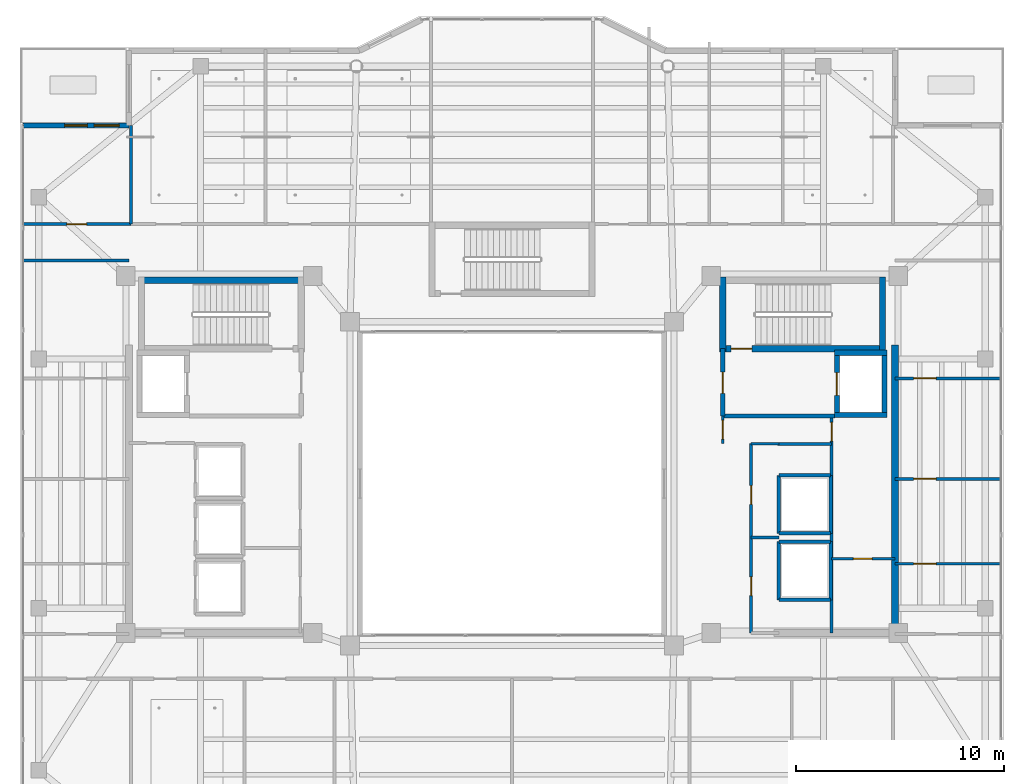
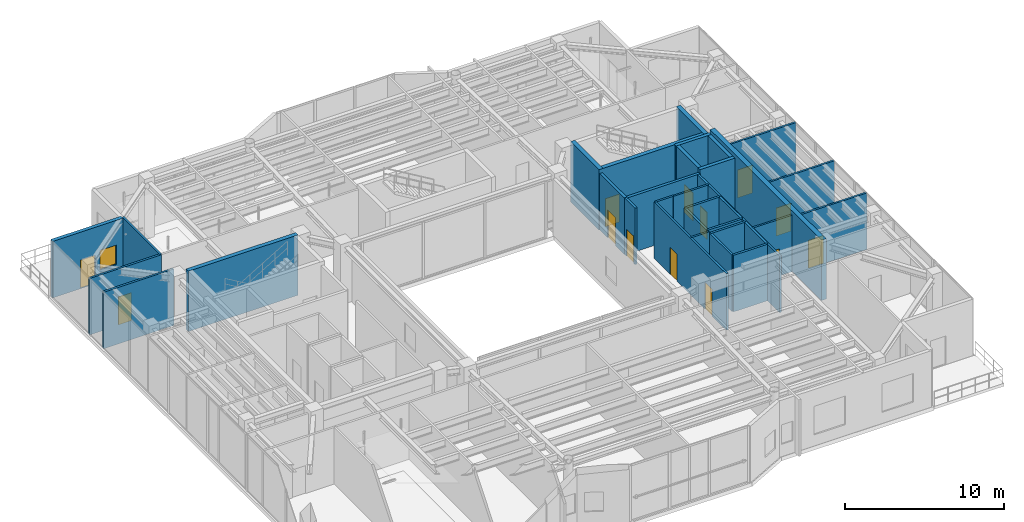
# One storey, part 25 of 34: 33 walls, 13 doors, 1 window, 14 openings.
"""IFC4 building model written with IfcOpenShell, lengths in metres."""

from ifc_helpers import new_model, si_unit, direction, frame, frame_2d, origin, place, context, subcontext, project, spatial, rectangle, extrude, material, layer, layer_set, type_object, element, fill, save


model = new_model("IFC4")

# Units and contexts
model_context = context("Model", 3, precision=1e-05, world=origin(), true_north=direction((0.0, 1.0)))
body_context = subcontext(model_context, "Body", "Model", "MODEL_VIEW")
ifc_project = project(units=[si_unit("LENGTHUNIT", "METRE"), si_unit("AREAUNIT", "SQUARE_METRE"), si_unit("VOLUMEUNIT", "CUBIC_METRE"), si_unit("PLANEANGLEUNIT", "RADIAN"), si_unit("MASSUNIT", "GRAM", prefix="KILO")], contexts=[model_context])

# Site, building, storey
site_placement = place(None, origin())
site = spatial("IfcSite", under=ifc_project, at=site_placement, CompositionType="ELEMENT")
building_placement = place(site_placement, origin())
building = spatial("IfcBuilding", under=site, at=building_placement, Name="Tarnavaz Court Tower", CompositionType="ELEMENT")
storey_placement = place(building_placement, frame((0.0, 0.0, 231.75)))
storey = spatial("IfcBuildingStorey", under=building, at=storey_placement, Name="L63", CompositionType="ELEMENT", Elevation=231.75)

# Wall, opening, door
ifc_material_1 = material(Name="Concrete C50/60", Category="concrete")
ifc_layer_1 = layer(ifc_material_1, 0.25)
ifc_layer_set_1 = layer_set([ifc_layer_1], Name="Concrete C50/60")
wall_type_1 = type_object("IfcWallType", Name="WL-CORE-250-C50", PredefinedType="SHEAR", material=ifc_layer_set_1)
wall_1_placement = place(storey_placement, frame((15.64990234375, 3.175048828125, 0.0), z_axis=(0.0, 0.0, 1.0), x_axis=(0.0, 1.0, 0.0)))
wall_1 = element("IfcWall", 1, at=wall_1_placement, inside=storey, type_object=wall_type_1, Name="L63 Lift FL-E1 Shaft Wall 033", PredefinedType="SHEAR", context=body_context, shape_type="SweptSolid", body=[
    extrude(rectangle(XDim=3.25, YDim=0.25, at=frame_2d((1.625, 0.0))), origin(), (0.0, 0.0, 1.0), 4.64990234375),
])
opening_1_placement = place(wall_1_placement, frame((1.074951171875, 0.0, 0.0)))
opening_1 = element("IfcOpeningElement", 2, at=opening_1_placement, cuts=wall_1, Name="Opening LD1", PredefinedType="OPENING", context=body_context, shape_type="SweptSolid", body=[
    extrude(rectangle(XDim=1.10009765625, YDim=2.14990234375, at=frame_2d((0.550048828125, 1.074951171875))), frame((0.0, 0.135009765625, 0.0), z_axis=(0.0, -1.0, 0.0), x_axis=(1.0, 0.0, 0.0)), (0.0, 0.0, 1.0), 0.27001953125),
])
ifc_material_2 = material(Name="Stainless Steel", Category="steel")
door_type_1 = type_object("IfcDoorType", Name="DR-LD-1100", OperationType="NOTDEFINED", PredefinedType="DOOR", material=ifc_material_2)
door_1_placement = place(opening_1_placement, origin())
door_1 = element("IfcDoor", 3, at=door_1_placement, inside=storey, type_object=door_type_1, Name="L63 Lift Landing Door LD-FL-E1", OperationType="SLIDING_TO_LEFT", OverallHeight=2.14990234375, OverallWidth=1.10009765625, PredefinedType="DOOR", context=body_context, shape_type="SweptSolid", body=[
    extrude(rectangle(XDim=1.10009765625, YDim=2.14990234375, at=frame_2d((0.550048828125, 1.074951171875))), frame((0.0, 0.02490234375, 0.0), z_axis=(0.0, -1.0, 0.0), x_axis=(1.0, 0.0, 0.0)), (0.0, 0.0, 1.0), 0.050048828125),
])
fill(opening_1, door_1)

# Walls
wall_2_placement = place(storey_placement, frame((17.949951171875, 3.175048828125, 0.0), z_axis=(0.0, 0.0, 1.0), x_axis=(0.0, 1.0, 0.0)))
element("IfcWall", 4, at=wall_2_placement, inside=storey, type_object=wall_type_1, Name="L63 Lift FL-E1 Shaft Wall 034", PredefinedType="SHEAR", context=body_context, shape_type="SweptSolid", body=[
    extrude(rectangle(XDim=3.25, YDim=0.25, at=frame_2d((1.625, 0.0))), origin(), (0.0, 0.0, 1.0), 4.64990234375),
])
for number, where, z_axis, x_axis, name in (
    (5, (15.52490234375, 3.300048828125, 0.0), (0.0, 0.0, 1.0), (1.0, 0.0, 0.0), "L63 Lift FL-E1 Shaft Wall 035"),
    (6, (15.52490234375, 6.300048828125, 0.0), (0.0, 0.0, 1.0), (1.0, 0.0, 0.0), "L63 Lift FL-E1 Shaft Wall 036"),
):
    element("IfcWall", number, at=place(storey_placement, frame(where, z_axis=z_axis, x_axis=x_axis)), inside=storey, type_object=wall_type_1, Name=name, PredefinedType="SHEAR", context=body_context, shape_type="SweptSolid", body=[
        extrude(rectangle(XDim=2.550048828125, YDim=0.25, at=frame_2d((1.27490234375, 0.0))), origin(), (0.0, 0.0, 1.0), 4.64990234375),
    ])
ifc_layer_2 = layer(ifc_material_1, 0.300048828125)
ifc_layer_set_2 = layer_set([ifc_layer_2], Name="Concrete C50/60")
wall_type_2 = type_object("IfcWallType", Name="WL-CORE-300-C50", PredefinedType="SHEAR", material=ifc_layer_set_2)
wall_3_placement = place(storey_placement, frame((-18.0, 9.7900390625, 0.0), z_axis=(0.0, 0.0, 1.0), x_axis=(1.0, 0.0, 0.0)))
element("IfcWall", 7, at=wall_3_placement, inside=storey, type_object=wall_type_2, Name="L63 West Stair Core Wall 001", PredefinedType="SHEAR", context=body_context, shape_type="SweptSolid", body=[
    extrude(rectangle(XDim=8.0, YDim=0.300048828125, at=frame_2d((4.0, 0.0))), origin(), (0.0, 0.0, 1.0), 4.64990234375),
])

# Wall, opening, door
wall_4_placement = place(storey_placement, frame((10.0, 6.5, 0.0), z_axis=(0.0, 0.0, 1.0), x_axis=(1.0, 0.0, 0.0)))
wall_4 = element("IfcWall", 8, at=wall_4_placement, inside=storey, type_object=wall_type_2, Name="L63 East Stair Core Wall 006", PredefinedType="SHEAR", context=body_context, shape_type="SweptSolid", body=[
    extrude(rectangle(XDim=8.0, YDim=0.300048828125, at=frame_2d((4.0, 0.0))), origin(), (0.0, 0.0, 1.0), 4.64990234375),
])
opening_2_placement = place(wall_4_placement, frame((0.550048828125, 0.0, 0.0)))
opening_2 = element("IfcOpeningElement", 9, at=opening_2_placement, cuts=wall_4, Name="Opening D01", PredefinedType="OPENING", context=body_context, shape_type="SweptSolid", body=[
    extrude(rectangle(XDim=1.0, YDim=2.14990234375, at=frame_2d((0.5, 1.074951171875))), frame((0.0, 0.159912109375, 0.0), z_axis=(0.0, -1.0, 0.0), x_axis=(1.0, 0.0, 0.0)), (0.0, 0.0, 1.0), 0.320068359375),
])
ifc_material_3 = material(Name="Fire-Rated Hardwood Timber Core", Category="wood")
door_type_2 = type_object("IfcDoorType", Name="DR-FD90-1000", OperationType="NOTDEFINED", PredefinedType="DOOR", material=ifc_material_3)
door_2_placement = place(opening_2_placement, origin())
door_2 = element("IfcDoor", 10, at=door_2_placement, inside=storey, type_object=door_type_2, Name="L63 Stair ST-E1 Exit Door", OperationType="SINGLE_SWING_RIGHT", OverallHeight=2.14990234375, OverallWidth=1.0, PredefinedType="DOOR", context=body_context, shape_type="SweptSolid", body=[
    extrude(rectangle(XDim=1.0, YDim=2.14990234375, at=frame_2d((0.5, 1.074951171875))), frame((0.0, 0.02490234375, 0.0), z_axis=(0.0, -1.0, 0.0), x_axis=(1.0, 0.0, 0.0)), (0.0, 0.0, 1.0), 0.050048828125),
])
fill(opening_2, door_2)

# Walls
for number, where, z_axis, x_axis, name in (
    (11, (10.14990234375, 6.35009765625, 0.0), (0.0, 0.0, 1.0), (0.0, 1.0, 0.0), "L63 East Stair Core Wall 007"),
    (12, (17.85009765625, 6.35009765625, 0.0), (0.0, 0.0, 1.0), (0.0, 1.0, 0.0), "L63 East Stair Core Wall 008"),
):
    element("IfcWall", number, at=place(storey_placement, frame(where, z_axis=z_axis, x_axis=x_axis)), inside=storey, type_object=wall_type_2, Name=name, PredefinedType="SHEAR", context=body_context, shape_type="SweptSolid", body=[
        extrude(rectangle(XDim=3.58984375, YDim=0.300048828125, at=frame_2d((1.794921875, 0.0))), origin(), (0.0, 0.0, 1.0), 4.64990234375),
    ])
ifc_layer_3 = layer(ifc_material_1, 0.35009765625)
ifc_layer_set_3 = layer_set([ifc_layer_3], Name="Concrete C50/60")
wall_type_3 = type_object("IfcWallType", Name="WL-CORE-350-C50", PredefinedType="SHEAR", material=ifc_layer_set_3)
wall_5_placement = place(storey_placement, frame((18.449951171875, -7.375, 0.0), z_axis=(0.0, 0.0, 1.0), x_axis=(0.0, 1.0, 0.0)))
element("IfcWall", 13, at=wall_5_placement, inside=storey, type_object=wall_type_3, Name="L63 East Core Shear Wall 047", PredefinedType="SHEAR", context=body_context, shape_type="SweptSolid", body=[
    extrude(rectangle(XDim=14.050048828125, YDim=0.35009765625, at=frame_2d((7.02490234375, 0.0))), origin(), (0.0, 0.0, 1.0), 4.64990234375),
])

# Wall, openings, door, window
ifc_material_4 = material(Name="Precast Concrete C40/50", Category="concrete")
ifc_layer_4 = layer(ifc_material_4, 0.260009765625)
ifc_layer_set_4 = layer_set([ifc_layer_4], Name="Precast Concrete C40/50")
wall_type_4 = type_object("IfcWallType", Name="WL-EXT-260", PredefinedType="SOLIDWALL", material=ifc_layer_set_4)
wall_6_placement = place(storey_placement, frame((-23.550048828125, 17.25, 0.0), z_axis=(0.0, 0.0, 1.0), x_axis=(1.0, 0.0, 0.0)))
wall_6 = element("IfcWall", 14, at=wall_6_placement, inside=storey, type_object=wall_type_4, Name="L63 Exterior Terracotta Facade Wall 03", PredefinedType="SOLIDWALL", context=body_context, shape_type="SweptSolid", body=[
    extrude(rectangle(XDim=5.10009765625, YDim=0.260009765625, at=frame_2d((2.550048828125, 0.0))), origin(), (0.0, 0.0, 1.0), 4.35009765625),
])
opening_3_placement = place(wall_6_placement, frame((2.0, 0.0, 0.0)))
opening_3 = element("IfcOpeningElement", 15, at=opening_3_placement, cuts=wall_6, Name="Opening TD1", PredefinedType="OPENING", context=body_context, shape_type="SweptSolid", body=[
    extrude(rectangle(XDim=1.10009765625, YDim=2.199951171875, at=frame_2d((0.550048828125, 1.10009765625))), frame((0.0, 0.139892578125, 0.0), z_axis=(0.0, -1.0, 0.0), x_axis=(1.0, 0.0, 0.0)), (0.0, 0.0, 1.0), 0.280029296875),
])
opening_4_placement = place(wall_6_placement, frame((3.419921875, 0.0, 0.949951171875)))
opening_4 = element("IfcOpeningElement", 16, at=opening_4_placement, cuts=wall_6, Name="Opening W05", PredefinedType="OPENING", context=body_context, shape_type="SweptSolid", body=[
    extrude(rectangle(XDim=1.199951171875, YDim=1.5, at=frame_2d((0.60009765625, 0.75))), frame((0.0, 0.139892578125, 0.0), z_axis=(0.0, -1.0, 0.0), x_axis=(1.0, 0.0, 0.0)), (0.0, 0.0, 1.0), 0.280029296875),
])
ifc_material_5 = material(Name="Thermally Broken Aluminium and Laminated Glass", Category="aluminium")
door_type_3 = type_object("IfcDoorType", Name="DR-TERR-1100", OperationType="NOTDEFINED", PredefinedType="DOOR", material=ifc_material_5)
door_3_placement = place(opening_3_placement, origin())
door_3 = element("IfcDoor", 17, at=door_3_placement, inside=storey, type_object=door_type_3, Name="L63 Sky Terrace Access Door 2", OperationType="SINGLE_SWING_RIGHT", OverallHeight=2.199951171875, OverallWidth=1.10009765625, PredefinedType="DOOR", context=body_context, shape_type="SweptSolid", body=[
    extrude(rectangle(XDim=1.10009765625, YDim=2.199951171875, at=frame_2d((0.550048828125, 1.10009765625))), frame((0.0, 0.02490234375, 0.0), z_axis=(0.0, -1.0, 0.0), x_axis=(1.0, 0.0, 0.0)), (0.0, 0.0, 1.0), 0.050048828125),
])
fill(opening_3, door_3)
ifc_material_6 = material(Name="Double-Glazed Solar Low-E Glass", Category="glass")
window_type = type_object("IfcWindowType", Name="WN-APT-1200", PartitioningType="SINGLE_PANEL", PredefinedType="WINDOW", material=ifc_material_6)
window_placement = place(opening_4_placement, origin())
window = element("IfcWindow", 18, at=window_placement, inside=storey, type_object=window_type, Name="L63 L63 NW Terrace Salon Window", OverallHeight=1.5, OverallWidth=1.199951171875, PartitioningType="SINGLE_PANEL", PredefinedType="WINDOW", context=body_context, shape_type="SweptSolid", body=[
    extrude(rectangle(XDim=1.199951171875, YDim=1.5, at=frame_2d((0.60009765625, 0.75))), frame((0.0, 0.030029296875, 0.0), z_axis=(0.0, -1.0, 0.0), x_axis=(1.0, 0.0, 0.0)), (0.0, 0.0, 1.0), 0.06005859375),
])
fill(opening_4, window)

# Wall
ifc_material_7 = material(Name="Gypsum Fire-Board on Acoustic Metal Stud", Category="masonry")
ifc_layer_5 = layer(ifc_material_7, 0.14990234375)
ifc_layer_set_5 = layer_set([ifc_layer_5], Name="Gypsum Fire-Board on Acoustic Metal Stud")
wall_type_5 = type_object("IfcWallType", Name="WL-FIRE-150", PredefinedType="PARTITIONING", material=ifc_layer_set_5)
wall_7_placement = place(storey_placement, frame((-23.580078125, 10.75, 0.0), z_axis=(0.0, 0.0, 1.0), x_axis=(1.0, 0.0, 0.0)))
element("IfcWall", 19, at=wall_7_placement, inside=storey, type_object=wall_type_5, Name="L63 Interior Partition 078", PredefinedType="PARTITIONING", context=body_context, shape_type="SweptSolid", body=[
    extrude(rectangle(XDim=5.130126953125, YDim=0.14990234375, at=frame_2d((2.56494140625, 0.0))), origin(), (0.0, 0.0, 1.0), 4.35009765625),
])

# Wall, opening, door
wall_8_placement = place(storey_placement, frame((-23.580078125, 12.5, 0.0), z_axis=(0.0, 0.0, 1.0), x_axis=(1.0, 0.0, 0.0)))
wall_8 = element("IfcWall", 20, at=wall_8_placement, inside=storey, type_object=wall_type_5, Name="L63 Interior Partition 084", PredefinedType="PARTITIONING", context=body_context, shape_type="SweptSolid", body=[
    extrude(rectangle(XDim=5.22998046875, YDim=0.14990234375, at=frame_2d((2.614990234375, 0.0))), origin(), (0.0, 0.0, 1.0), 4.35009765625),
])
opening_5_placement = place(wall_8_placement, frame((2.139892578125, 0.0, 0.0)))
opening_5 = element("IfcOpeningElement", 21, at=opening_5_placement, cuts=wall_8, Name="Opening D13", PredefinedType="OPENING", context=body_context, shape_type="SweptSolid", body=[
    extrude(rectangle(XDim=0.949951171875, YDim=2.14990234375, at=frame_2d((0.47509765625, 1.074951171875))), frame((0.0, 0.0849609375, 0.0), z_axis=(0.0, -1.0, 0.0), x_axis=(1.0, 0.0, 0.0)), (0.0, 0.0, 1.0), 0.169921875),
])
ifc_material_8 = material(Name="Engineered Oak Timber", Category="wood")
door_type_4 = type_object("IfcDoorType", Name="DR-INT-950", OperationType="NOTDEFINED", PredefinedType="DOOR", material=ifc_material_8)
door_4_placement = place(opening_5_placement, origin())
door_4 = element("IfcDoor", 22, at=door_4_placement, inside=storey, type_object=door_type_4, Name="L63 NW Terrace Salon Door", OperationType="SINGLE_SWING_RIGHT", OverallHeight=2.14990234375, OverallWidth=0.949951171875, PredefinedType="DOOR", context=body_context, shape_type="SweptSolid", body=[
    extrude(rectangle(XDim=0.949951171875, YDim=2.14990234375, at=frame_2d((0.47509765625, 1.074951171875))), frame((0.0, 0.02490234375, 0.0), z_axis=(0.0, -1.0, 0.0), x_axis=(1.0, 0.0, 0.0)), (0.0, 0.0, 1.0), 0.050048828125),
])
fill(opening_5, door_4)

# Wall
ifc_material_9 = material(Name="Autoclaved Aerated Concrete Blockwork", Category="masonry")
ifc_layer_6 = layer(ifc_material_9, 0.199951171875)
ifc_layer_set_6 = layer_set([ifc_layer_6], Name="Autoclaved Aerated Concrete Blockwork")
wall_type_6 = type_object("IfcWallType", Name="WL-FIRE-200", PredefinedType="SOLIDWALL", material=ifc_layer_set_6)
wall_9_placement = place(storey_placement, frame((10.14990234375, 3.25, 0.0), z_axis=(0.0, 0.0, 1.0), x_axis=(1.0, 0.0, 0.0)))
element("IfcWall", 23, at=wall_9_placement, inside=storey, type_object=wall_type_6, Name="L63 East Firefighting Lobby Wall 015", PredefinedType="SOLIDWALL", context=body_context, shape_type="SweptSolid", body=[
    extrude(rectangle(XDim=5.400146484375, YDim=0.199951171875, at=frame_2d((2.7001953125, 0.0))), origin(), (0.0, 0.0, 1.0), 4.35009765625),
])

# Wall, opening, door
wall_10_placement = place(storey_placement, frame((10.14990234375, 3.25, 0.0), z_axis=(0.0, 0.0, 1.0), x_axis=(0.0, 1.0, 0.0)))
wall_10 = element("IfcWall", 24, at=wall_10_placement, inside=storey, type_object=wall_type_6, Name="L63 East Firefighting Lobby Wall 016", PredefinedType="SOLIDWALL", context=body_context, shape_type="SweptSolid", body=[
    extrude(rectangle(XDim=3.25, YDim=0.199951171875, at=frame_2d((1.625, 0.0))), origin(), (0.0, 0.0, 1.0), 4.35009765625),
])
opening_6_placement = place(wall_10_placement, frame((1.10009765625, 0.0, 0.0)))
opening_6 = element("IfcOpeningElement", 25, at=opening_6_placement, cuts=wall_10, Name="Opening D05", PredefinedType="OPENING", context=body_context, shape_type="SweptSolid", body=[
    extrude(rectangle(XDim=1.02001953125, YDim=2.14990234375, at=frame_2d((0.510009765625, 1.074951171875))), frame((0.0, 0.10986328125, 0.0), z_axis=(0.0, -1.0, 0.0), x_axis=(1.0, 0.0, 0.0)), (0.0, 0.0, 1.0), 0.219970703125),
])
door_type_5 = type_object("IfcDoorType", Name="DR-FD60-1000", OperationType="NOTDEFINED", PredefinedType="DOOR", material=ifc_material_3)
door_5_placement = place(opening_6_placement, origin())
door_5 = element("IfcDoor", 26, at=door_5_placement, inside=storey, type_object=door_type_5, Name="L63 East Firefighting Lobby Door", OperationType="SINGLE_SWING_LEFT", OverallHeight=2.14990234375, OverallWidth=1.02001953125, PredefinedType="DOOR", context=body_context, shape_type="SweptSolid", body=[
    extrude(rectangle(XDim=1.02001953125, YDim=2.14990234375, at=frame_2d((0.510009765625, 1.074951171875))), frame((0.0, 0.02490234375, 0.0), z_axis=(0.0, -1.0, 0.0), x_axis=(1.0, 0.0, 0.0)), (0.0, 0.0, 1.0), 0.050048828125),
])
fill(opening_6, door_5)

# Wall
ifc_material_10 = material(Name="Gypsum Plasterboard Acoustic Partition", Category="masonry")
ifc_layer_7 = layer(ifc_material_10, 0.139892578125)
ifc_layer_set_7 = layer_set([ifc_layer_7], Name="Gypsum Plasterboard Acoustic Partition")
wall_type_7 = type_object("IfcWallType", Name="WL-PART-150", PredefinedType="PARTITIONING", material=ifc_layer_set_7)
wall_11_placement = place(storey_placement, frame((12.800048828125, 1.89990234375, 0.0), z_axis=(0.0, 0.0, 1.0), x_axis=(1.0, 0.0, 0.0)))
element("IfcWall", 27, at=wall_11_placement, inside=storey, type_object=wall_type_7, Name="L63 Interior Partition 052", PredefinedType="PARTITIONING", context=body_context, shape_type="SweptSolid", body=[
    extrude(rectangle(XDim=2.599853515625, YDim=0.139892578125, at=frame_2d((1.2998046875, 0.0))), origin(), (0.0, 0.0, 1.0), 4.35009765625),
])

# Wall, opening, door
wall_12_placement = place(storey_placement, frame((10.14990234375, 1.919921875, 0.0), z_axis=(0.0, 0.0, 1.0), x_axis=(0.0, 1.0, 0.0)))
wall_12 = element("IfcWall", 28, at=wall_12_placement, inside=storey, type_object=wall_type_7, Name="L63 Interior Partition 053", PredefinedType="PARTITIONING", context=body_context, shape_type="SweptSolid", body=[
    extrude(rectangle(XDim=1.330078125, YDim=0.139892578125, at=frame_2d((0.6650390625, 0.0))), origin(), (0.0, 0.0, 1.0), 4.35009765625),
])
opening_7_placement = place(wall_12_placement, frame((0.219970703125, 0.0, 0.0)))
opening_7 = element("IfcOpeningElement", 29, at=opening_7_placement, cuts=wall_12, Name="Opening D09", PredefinedType="OPENING", context=body_context, shape_type="SweptSolid", body=[
    extrude(rectangle(XDim=0.89990234375, YDim=2.080078125, at=frame_2d((0.449951171875, 1.0400390625))), frame((0.0, 0.079833984375, 0.0), z_axis=(0.0, -1.0, 0.0), x_axis=(1.0, 0.0, 0.0)), (0.0, 0.0, 1.0), 0.159912109375),
])
door_type_6 = type_object("IfcDoorType", Name="DR-FD30-900", OperationType="NOTDEFINED", PredefinedType="DOOR", material=ifc_material_3)
door_6_placement = place(opening_7_placement, origin())
door_6 = element("IfcDoor", 30, at=door_6_placement, inside=storey, type_object=door_type_6, Name="L63 East Core Service Lobby Door", OperationType="SINGLE_SWING_LEFT", OverallHeight=2.080078125, OverallWidth=0.89990234375, PredefinedType="DOOR", context=body_context, shape_type="SweptSolid", body=[
    extrude(rectangle(XDim=0.89990234375, YDim=2.080078125, at=frame_2d((0.449951171875, 1.0400390625))), frame((0.0, 0.02490234375, 0.0), z_axis=(0.0, -1.0, 0.0), x_axis=(1.0, 0.0, 0.0)), (0.0, 0.0, 1.0), 0.050048828125),
])
fill(opening_7, door_6)

wall_13_placement = place(storey_placement, frame((15.39990234375, -7.199951171875, 0.0), z_axis=(0.0, 0.0, 1.0), x_axis=(0.0, 1.0, 0.0)))
wall_13 = element("IfcWall", 31, at=wall_13_placement, inside=storey, type_object=wall_type_7, Name="L63 Interior Partition 054", PredefinedType="PARTITIONING", context=body_context, shape_type="SweptSolid", body=[
    extrude(rectangle(XDim=10.449951171875, YDim=0.139892578125, at=frame_2d((5.22509765625, 0.0))), origin(), (0.0, 0.0, 1.0), 4.35009765625),
])
opening_8_placement = place(wall_13_placement, frame((9.25, 0.0, 0.0)))
opening_8 = element("IfcOpeningElement", 32, at=opening_8_placement, cuts=wall_13, Name="Opening D09", PredefinedType="OPENING", context=body_context, shape_type="SweptSolid", body=[
    extrude(rectangle(XDim=0.89990234375, YDim=2.080078125, at=frame_2d((0.449951171875, 1.0400390625))), frame((0.0, 0.079833984375, 0.0), z_axis=(0.0, -1.0, 0.0), x_axis=(1.0, 0.0, 0.0)), (0.0, 0.0, 1.0), 0.159912109375),
])
door_7_placement = place(opening_8_placement, origin())
door_7 = element("IfcDoor", 33, at=door_7_placement, inside=storey, type_object=door_type_6, Name="L63 East Wet Riser Door", OperationType="SINGLE_SWING_RIGHT", OverallHeight=2.080078125, OverallWidth=0.89990234375, PredefinedType="DOOR", context=body_context, shape_type="SweptSolid", body=[
    extrude(rectangle(XDim=0.89990234375, YDim=2.080078125, at=frame_2d((0.449951171875, 1.0400390625))), frame((0.0, 0.02490234375, 0.0), z_axis=(0.0, -1.0, 0.0), x_axis=(1.0, 0.0, 0.0)), (0.0, 0.0, 1.0), 0.050048828125),
])
fill(opening_8, door_7)

wall_14_placement = place(storey_placement, frame((15.39990234375, -3.6201171875, 0.0), z_axis=(0.0, 0.0, 1.0), x_axis=(1.0, 0.0, 0.0)))
wall_14 = element("IfcWall", 34, at=wall_14_placement, inside=storey, type_object=wall_type_7, Name="L63 Interior Partition 055", PredefinedType="PARTITIONING", context=body_context, shape_type="SweptSolid", body=[
    extrude(rectangle(XDim=3.050048828125, YDim=0.139892578125, at=frame_2d((1.52490234375, 0.0))), origin(), (0.0, 0.0, 1.0), 4.35009765625),
])
opening_9_placement = place(wall_14_placement, frame((1.050048828125, 0.0, 0.0)))
opening_9 = element("IfcOpeningElement", 35, at=opening_9_placement, cuts=wall_14, Name="Opening D09", PredefinedType="OPENING", context=body_context, shape_type="SweptSolid", body=[
    extrude(rectangle(XDim=0.89990234375, YDim=2.080078125, at=frame_2d((0.449951171875, 1.0400390625))), frame((0.0, 0.079833984375, 0.0), z_axis=(0.0, -1.0, 0.0), x_axis=(1.0, 0.0, 0.0)), (0.0, 0.0, 1.0), 0.159912109375),
])
door_8_placement = place(opening_9_placement, origin())
door_8 = element("IfcDoor", 36, at=door_8_placement, inside=storey, type_object=door_type_6, Name="L63 East Electrical Plant Door", OperationType="SINGLE_SWING_LEFT", OverallHeight=2.080078125, OverallWidth=0.89990234375, PredefinedType="DOOR", context=body_context, shape_type="SweptSolid", body=[
    extrude(rectangle(XDim=0.89990234375, YDim=2.080078125, at=frame_2d((0.449951171875, 1.0400390625))), frame((0.0, 0.02490234375, 0.0), z_axis=(0.0, -1.0, 0.0), x_axis=(1.0, 0.0, 0.0)), (0.0, 0.0, 1.0), 0.050048828125),
])
fill(opening_9, door_8)

# Wall, openings, doors
wall_15_placement = place(storey_placement, frame((11.52001953125, -7.199951171875, 0.0), z_axis=(0.0, 0.0, 1.0), x_axis=(0.0, 1.0, 0.0)))
wall_15 = element("IfcWall", 37, at=wall_15_placement, inside=storey, type_object=wall_type_7, Name="L63 Interior Partition 056", PredefinedType="PARTITIONING", context=body_context, shape_type="SweptSolid", body=[
    extrude(rectangle(XDim=9.119873046875, YDim=0.139892578125, at=frame_2d((4.56005859375, 0.0))), origin(), (0.0, 0.0, 1.0), 4.35009765625),
])
opening_10_placement = place(wall_15_placement, frame((1.800048828125, 0.0, 0.0)))
opening_10 = element("IfcOpeningElement", 38, at=opening_10_placement, cuts=wall_15, Name="Opening D09", PredefinedType="OPENING", context=body_context, shape_type="SweptSolid", body=[
    extrude(rectangle(XDim=0.89990234375, YDim=2.080078125, at=frame_2d((0.449951171875, 1.0400390625))), frame((0.0, 0.079833984375, 0.0), z_axis=(0.0, -1.0, 0.0), x_axis=(1.0, 0.0, 0.0)), (0.0, 0.0, 1.0), 0.159912109375),
])
opening_11_placement = place(wall_15_placement, frame((6.199951171875, 0.0, 0.0)))
opening_11 = element("IfcOpeningElement", 39, at=opening_11_placement, cuts=wall_15, Name="Opening D09", PredefinedType="OPENING", context=body_context, shape_type="SweptSolid", body=[
    extrude(rectangle(XDim=0.89990234375, YDim=2.080078125, at=frame_2d((0.449951171875, 1.0400390625))), frame((0.0, 0.079833984375, 0.0), z_axis=(0.0, -1.0, 0.0), x_axis=(1.0, 0.0, 0.0)), (0.0, 0.0, 1.0), 0.159912109375),
])
door_9_placement = place(opening_10_placement, origin())
door_9 = element("IfcDoor", 40, at=door_9_placement, inside=storey, type_object=door_type_6, Name="L63 East Sky Housekeeping Door", OperationType="SINGLE_SWING_RIGHT", OverallHeight=2.080078125, OverallWidth=0.89990234375, PredefinedType="DOOR", context=body_context, shape_type="SweptSolid", body=[
    extrude(rectangle(XDim=0.89990234375, YDim=2.080078125, at=frame_2d((0.449951171875, 1.0400390625))), frame((0.0, 0.02490234375, 0.0), z_axis=(0.0, -1.0, 0.0), x_axis=(1.0, 0.0, 0.0)), (0.0, 0.0, 1.0), 0.050048828125),
])
fill(opening_10, door_9)
door_10_placement = place(opening_11_placement, origin())
door_10 = element("IfcDoor", 41, at=door_10_placement, inside=storey, type_object=door_type_6, Name="L63 East Sky Meter Room Door", OperationType="SINGLE_SWING_LEFT", OverallHeight=2.080078125, OverallWidth=0.89990234375, PredefinedType="DOOR", context=body_context, shape_type="SweptSolid", body=[
    extrude(rectangle(XDim=0.89990234375, YDim=2.080078125, at=frame_2d((0.449951171875, 1.0400390625))), frame((0.0, 0.02490234375, 0.0), z_axis=(0.0, -1.0, 0.0), x_axis=(1.0, 0.0, 0.0)), (0.0, 0.0, 1.0), 0.050048828125),
])
fill(opening_11, door_10)

# Walls
for number, where, z_axis, x_axis, name in (
    (42, (11.52001953125, 1.919921875, 0.0), (0.0, 0.0, 1.0), (1.0, 0.0, 0.0), "L63 Interior Partition 057"),
    (43, (11.52001953125, -2.60009765625, 0.0), (0.0, 0.0, 1.0), (1.0, 0.0, 0.0), "L63 Interior Partition 059"),
):
    element("IfcWall", number, at=place(storey_placement, frame(where, z_axis=z_axis, x_axis=x_axis)), inside=storey, type_object=wall_type_7, Name=name, PredefinedType="PARTITIONING", context=body_context, shape_type="SweptSolid", body=[
        extrude(rectangle(XDim=1.330078125, YDim=0.139892578125, at=frame_2d((0.6650390625, 0.0))), origin(), (0.0, 0.0, 1.0), 4.35009765625),
    ])
wall_16_placement = place(storey_placement, frame((-18.35009765625, 12.5, 0.0), z_axis=(0.0, 0.0, 1.0), x_axis=(0.0, 1.0, 0.0)))
element("IfcWall", 44, at=wall_16_placement, inside=storey, type_object=wall_type_7, Name="L63 Interior Partition 082", PredefinedType="PARTITIONING", context=body_context, shape_type="SweptSolid", body=[
    extrude(rectangle(XDim=4.75, YDim=0.139892578125, at=frame_2d((2.375, 0.0))), origin(), (0.0, 0.0, 1.0), 4.35009765625),
])

# Wall, opening, door
wall_17_placement = place(storey_placement, frame((18.449951171875, -3.860107421875, 0.0), z_axis=(0.0, 0.0, 1.0), x_axis=(1.0, 0.0, 0.0)))
wall_17 = element("IfcWall", 45, at=wall_17_placement, inside=storey, type_object=wall_type_7, Name="L63 Interior Partition 091", PredefinedType="PARTITIONING", context=body_context, shape_type="SweptSolid", body=[
    extrude(rectangle(XDim=5.130126953125, YDim=0.139892578125, at=frame_2d((2.56494140625, 0.0))), origin(), (0.0, 0.0, 1.0), 4.35009765625),
])
opening_12_placement = place(wall_17_placement, frame((0.89990234375, 0.0, 0.0)))
opening_12 = element("IfcOpeningElement", 46, at=opening_12_placement, cuts=wall_17, Name="Opening D12", PredefinedType="OPENING", context=body_context, shape_type="SweptSolid", body=[
    extrude(rectangle(XDim=1.080078125, YDim=2.14990234375, at=frame_2d((0.5400390625, 1.074951171875))), frame((0.0, 0.079833984375, 0.0), z_axis=(0.0, -1.0, 0.0), x_axis=(1.0, 0.0, 0.0)), (0.0, 0.0, 1.0), 0.159912109375),
])
door_type_7 = type_object("IfcDoorType", Name="DR-INT-1100", OperationType="NOTDEFINED", PredefinedType="DOOR", material=ifc_material_8)
door_11_placement = place(opening_12_placement, origin())
door_11 = element("IfcDoor", 47, at=door_11_placement, inside=storey, type_object=door_type_7, Name="L63 East Suite Room 2 Door", OperationType="SINGLE_SWING_LEFT", OverallHeight=2.14990234375, OverallWidth=1.080078125, PredefinedType="DOOR", context=body_context, shape_type="SweptSolid", body=[
    extrude(rectangle(XDim=1.080078125, YDim=2.14990234375, at=frame_2d((0.5400390625, 1.074951171875))), frame((0.0, 0.02490234375, 0.0), z_axis=(0.0, -1.0, 0.0), x_axis=(1.0, 0.0, 0.0)), (0.0, 0.0, 1.0), 0.050048828125),
])
fill(opening_12, door_11)

wall_18_placement = place(storey_placement, frame((18.449951171875, 0.222900390625, 0.0), z_axis=(0.0, 0.0, 1.0), x_axis=(1.0, 0.0, 0.0)))
wall_18 = element("IfcWall", 48, at=wall_18_placement, inside=storey, type_object=wall_type_7, Name="L63 Interior Partition 092", PredefinedType="PARTITIONING", context=body_context, shape_type="SweptSolid", body=[
    extrude(rectangle(XDim=5.130126953125, YDim=0.139892578125, at=frame_2d((2.56494140625, 0.0))), origin(), (0.0, 0.0, 1.0), 4.35009765625),
])
opening_13_placement = place(wall_18_placement, frame((0.89990234375, 0.0, 0.0)))
opening_13 = element("IfcOpeningElement", 49, at=opening_13_placement, cuts=wall_18, Name="Opening D12", PredefinedType="OPENING", context=body_context, shape_type="SweptSolid", body=[
    extrude(rectangle(XDim=1.080078125, YDim=2.14990234375, at=frame_2d((0.5400390625, 1.074951171875))), frame((0.0, 0.079833984375, 0.0), z_axis=(0.0, -1.0, 0.0), x_axis=(1.0, 0.0, 0.0)), (0.0, 0.0, 1.0), 0.159912109375),
])
door_12_placement = place(opening_13_placement, origin())
door_12 = element("IfcDoor", 50, at=door_12_placement, inside=storey, type_object=door_type_7, Name="L63 East Suite Room 3 Door", OperationType="SINGLE_SWING_RIGHT", OverallHeight=2.14990234375, OverallWidth=1.080078125, PredefinedType="DOOR", context=body_context, shape_type="SweptSolid", body=[
    extrude(rectangle(XDim=1.080078125, YDim=2.14990234375, at=frame_2d((0.5400390625, 1.074951171875))), frame((0.0, 0.02490234375, 0.0), z_axis=(0.0, -1.0, 0.0), x_axis=(1.0, 0.0, 0.0)), (0.0, 0.0, 1.0), 0.050048828125),
])
fill(opening_13, door_12)

wall_19_placement = place(storey_placement, frame((18.449951171875, 5.070068359375, 0.0), z_axis=(0.0, 0.0, 1.0), x_axis=(1.0, 0.0, 0.0)))
wall_19 = element("IfcWall", 51, at=wall_19_placement, inside=storey, type_object=wall_type_7, Name="L63 Interior Partition 093", PredefinedType="PARTITIONING", context=body_context, shape_type="SweptSolid", body=[
    extrude(rectangle(XDim=5.130126953125, YDim=0.139892578125, at=frame_2d((2.56494140625, 0.0))), origin(), (0.0, 0.0, 1.0), 4.35009765625),
])
opening_14_placement = place(wall_19_placement, frame((0.89990234375, 0.0, 0.0)))
opening_14 = element("IfcOpeningElement", 52, at=opening_14_placement, cuts=wall_19, Name="Opening D12", PredefinedType="OPENING", context=body_context, shape_type="SweptSolid", body=[
    extrude(rectangle(XDim=1.080078125, YDim=2.14990234375, at=frame_2d((0.5400390625, 1.074951171875))), frame((0.0, 0.079833984375, 0.0), z_axis=(0.0, -1.0, 0.0), x_axis=(1.0, 0.0, 0.0)), (0.0, 0.0, 1.0), 0.159912109375),
])
door_13_placement = place(opening_14_placement, origin())
door_13 = element("IfcDoor", 53, at=door_13_placement, inside=storey, type_object=door_type_7, Name="L63 East Suite Room 4 Door", OperationType="SINGLE_SWING_LEFT", OverallHeight=2.14990234375, OverallWidth=1.080078125, PredefinedType="DOOR", context=body_context, shape_type="SweptSolid", body=[
    extrude(rectangle(XDim=1.080078125, YDim=2.14990234375, at=frame_2d((0.5400390625, 1.074951171875))), frame((0.0, 0.02490234375, 0.0), z_axis=(0.0, -1.0, 0.0), x_axis=(1.0, 0.0, 0.0)), (0.0, 0.0, 1.0), 0.050048828125),
])
fill(opening_14, door_13)

# Walls
ifc_layer_8 = layer(ifc_material_9, 0.159912109375)
ifc_layer_set_8 = layer_set([ifc_layer_8], Name="Autoclaved Aerated Concrete Blockwork")
wall_type_8 = type_object("IfcWallType", Name="WL-SHAFT-150", PredefinedType="SOLIDWALL", material=ifc_layer_set_8)
for number, where, z_axis, x_axis, name in (
    (54, (12.85009765625, -5.60009765625, 0.0), (0.0, 0.0, 1.0), (0.0, 1.0, 0.0), "L63 Lift PL-OB1 Shaft Wall 037"),
    (55, (15.35009765625, -5.60009765625, 0.0), (0.0, 0.0, 1.0), (0.0, 1.0, 0.0), "L63 Lift PL-OB1 Shaft Wall 038"),
):
    element("IfcWall", number, at=place(storey_placement, frame(where, z_axis=z_axis, x_axis=x_axis)), inside=storey, type_object=wall_type_8, Name=name, PredefinedType="SOLIDWALL", context=body_context, shape_type="SweptSolid", body=[
        extrude(rectangle(XDim=2.800048828125, YDim=0.159912109375, at=frame_2d((1.39990234375, 0.0))), origin(), (0.0, 0.0, 1.0), 4.35009765625),
    ])
for number, where, z_axis, x_axis, name in (
    (56, (12.85009765625, -5.60009765625, 0.0), (0.0, 0.0, 1.0), (1.0, 0.0, 0.0), "L63 Lift PL-OB1 Shaft Wall 039"),
    (57, (12.85009765625, -2.800048828125, 0.0), (0.0, 0.0, 1.0), (1.0, 0.0, 0.0), "L63 Lift PL-OB1 Shaft Wall 040"),
):
    element("IfcWall", number, at=place(storey_placement, frame(where, z_axis=z_axis, x_axis=x_axis)), inside=storey, type_object=wall_type_8, Name=name, PredefinedType="SOLIDWALL", context=body_context, shape_type="SweptSolid", body=[
        extrude(rectangle(XDim=2.5, YDim=0.159912109375, at=frame_2d((1.25, 0.0))), origin(), (0.0, 0.0, 1.0), 4.35009765625),
    ])
for number, where, z_axis, x_axis, name in (
    (58, (12.85009765625, -2.39990234375, 0.0), (0.0, 0.0, 1.0), (0.0, 1.0, 0.0), "L63 Lift PL-OB2 Shaft Wall 041"),
    (59, (15.35009765625, -2.39990234375, 0.0), (0.0, 0.0, 1.0), (0.0, 1.0, 0.0), "L63 Lift PL-OB2 Shaft Wall 042"),
):
    element("IfcWall", number, at=place(storey_placement, frame(where, z_axis=z_axis, x_axis=x_axis)), inside=storey, type_object=wall_type_8, Name=name, PredefinedType="SOLIDWALL", context=body_context, shape_type="SweptSolid", body=[
        extrude(rectangle(XDim=2.7998046875, YDim=0.159912109375, at=frame_2d((1.39990234375, 0.0))), origin(), (0.0, 0.0, 1.0), 4.35009765625),
    ])
for number, where, z_axis, x_axis, name in (
    (60, (12.85009765625, -2.39990234375, 0.0), (0.0, 0.0, 1.0), (1.0, 0.0, 0.0), "L63 Lift PL-OB2 Shaft Wall 043"),
    (61, (12.85009765625, 0.39990234375, 0.0), (0.0, 0.0, 1.0), (1.0, 0.0, 0.0), "L63 Lift PL-OB2 Shaft Wall 044"),
):
    element("IfcWall", number, at=place(storey_placement, frame(where, z_axis=z_axis, x_axis=x_axis)), inside=storey, type_object=wall_type_8, Name=name, PredefinedType="SOLIDWALL", context=body_context, shape_type="SweptSolid", body=[
        extrude(rectangle(XDim=2.5, YDim=0.159912109375, at=frame_2d((1.25, 0.0))), origin(), (0.0, 0.0, 1.0), 4.35009765625),
    ])

save(model, "model.ifc")
